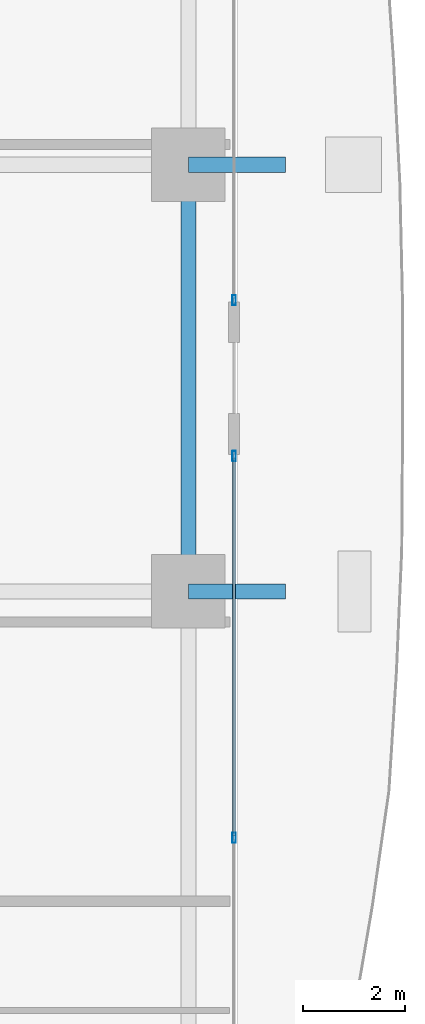
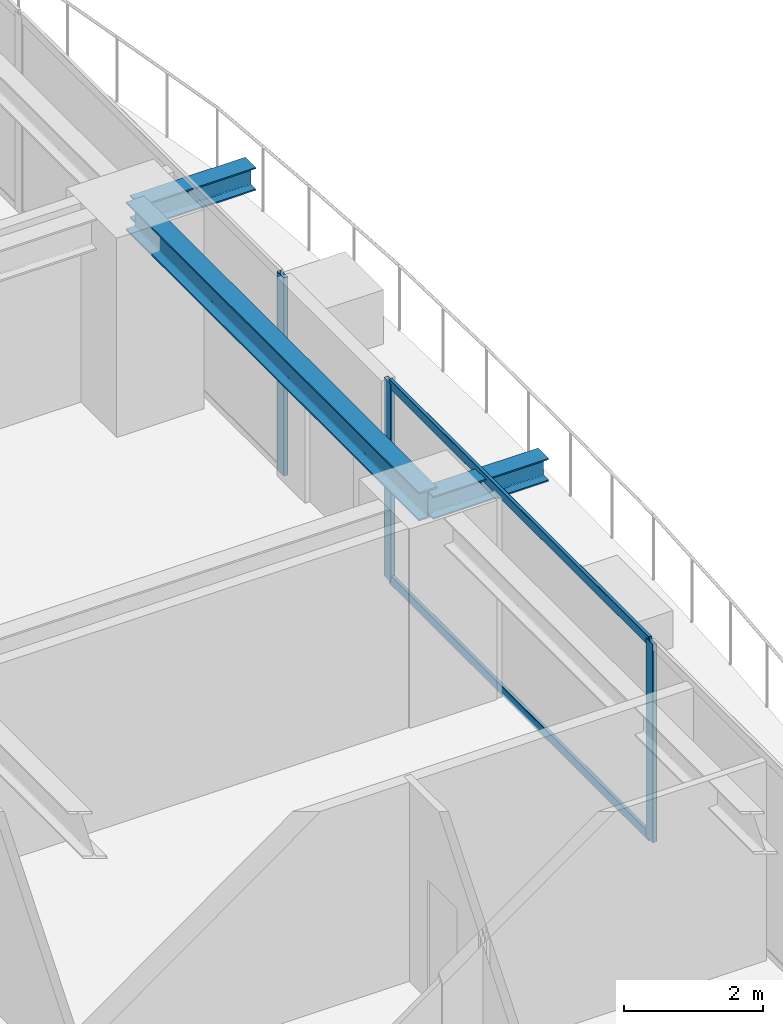
# One storey, part 14 of 38: 5 members, 3 beams, 2 elements without a shape of their own.
"""IFC4 building model written with IfcOpenShell, lengths in metres."""

from ifc_helpers import new_model, si_unit, direction, frame, origin, origin_2d, place, context, subcontext, project, spatial, hollow_rectangle, i_section, extrude, source, transform, mapped, material, layer, layer_set, material_profile, profile_set, type_object, element, aggregate, save


model = new_model("IFC4")

# Units and contexts
model_context = context("Model", 3, precision=1e-05, world=origin(), true_north=direction((0.0, 1.0)))
body_context = subcontext(model_context, "Body", "Model", "MODEL_VIEW")
ifc_project = project(units=[si_unit("LENGTHUNIT", "METRE"), si_unit("AREAUNIT", "SQUARE_METRE"), si_unit("VOLUMEUNIT", "CUBIC_METRE"), si_unit("PLANEANGLEUNIT", "RADIAN"), si_unit("MASSUNIT", "GRAM", prefix="KILO")], contexts=[model_context])

# Site, building, storey
site_placement = place(None, origin())
site = spatial("IfcSite", under=ifc_project, at=site_placement, CompositionType="ELEMENT")
building_placement = place(site_placement, origin())
building = spatial("IfcBuilding", under=site, at=building_placement, Name="Serunith Strait Residences", CompositionType="ELEMENT")
storey_placement = place(building_placement, frame((0.0, 0.0, 67.949951171875)))
storey = spatial("IfcBuildingStorey", under=building, at=storey_placement, Name="L16", CompositionType="ELEMENT", Elevation=67.949951171875)

# Beams
ifc_material_1 = material(Name="Steel S355J2", Category="steel")
ifc_material_profile_1 = material_profile(ifc_material_1, i_section(OverallWidth=0.300048828125, OverallDepth=0.5, WebThickness=0.014404296875, FlangeThickness=0.028076171875, FilletRadius=0.027099609375, at=origin_2d()), Name="HEB 500")
ifc_profile_set_1 = profile_set([ifc_material_profile_1], Name="Steel S355J2")
beam_type_1 = type_object("IfcBeamType", Name="BM-HEB500", PredefinedType="BEAM", material=ifc_profile_set_1)
shared_shape_1 = source(origin(), body_context, "Body", "SweptSolid", [
    extrude(i_section(OverallWidth=0.300048828125, OverallDepth=0.5, WebThickness=0.014404296875, FlangeThickness=0.028076171875, FilletRadius=0.027099609375, at=origin_2d()), origin(), (0.0, 0.0, 1.0), 8.39990234375),
])
beam_placement = place(storey_placement, frame((57.89990234375, 21.0, 3.237060546875), z_axis=(0.0, 1.0, 0.0), x_axis=(-1.0, 0.0, 0.0)))
element("IfcBeam", 1, at=beam_placement, inside=storey, type_object=beam_type_1, Name="L16 Perimeter Ring Beam 06", PredefinedType="BEAM", context=body_context, shape_type="MappedRepresentation", body=[
    mapped(shared_shape_1, transform((0.0, 0.0, 0.0), scale=1.0)),
])
ifc_material_profile_2 = material_profile(ifc_material_1, i_section(OverallWidth=0.300048828125, OverallDepth=0.39990234375, WebThickness=0.013427734375, FlangeThickness=0.02392578125, FilletRadius=0.027099609375, at=origin_2d()), Name="HEB 400")
ifc_profile_set_2 = profile_set([ifc_material_profile_2], Name="Steel S355J2")
beam_type_2 = type_object("IfcBeamType", Name="BM-HEB400", PredefinedType="BEAM", material=ifc_profile_set_2)
shared_shape_2 = source(origin(), body_context, "Body", "SweptSolid", [
    extrude(i_section(OverallWidth=0.300048828125, OverallDepth=0.39990234375, WebThickness=0.013427734375, FlangeThickness=0.02392578125, FilletRadius=0.027099609375, at=origin_2d()), origin(), (0.0, 0.0, 1.0), 1.91015625),
])
for number, where, z_axis, x_axis, name in (
    (2, (57.89990234375, 21.0, 3.257080078125), (1.0, 0.0, 0.0), (0.0, 1.0, 0.0), "L17 Cantilevered Balcony Rib TC-E2"),
    (3, (57.89990234375, 29.39990234375, 3.257080078125), (1.0, 0.0, 0.0), (0.0, 1.0, 0.0), "L17 Cantilevered Balcony Rib TC-E3"),
):
    element("IfcBeam", number, at=place(storey_placement, frame(where, z_axis=z_axis, x_axis=x_axis)), inside=storey, type_object=beam_type_2, Name=name, PredefinedType="BEAM", context=body_context, shape_type="MappedRepresentation", body=[
        mapped(shared_shape_2, transform((0.0, 0.0, 0.0), scale=1.0)),
    ])

# Curtain wall, members
ifc_material_2 = material(Name="Pale-Champagne Anodised Aluminium", Category="aluminium")
ifc_layer = layer(ifc_material_2, 0.199951171875, Name="Pale-Champagne Anodised Aluminium")
ifc_layer_set = layer_set([ifc_layer], Name="Pale-Champagne Anodised Aluminium")
curtain_wall_type = type_object("IfcCurtainWallType", Name="CW-SYS1", PredefinedType="NOTDEFINED", material=ifc_layer_set)
curtain_wall_1_placement = place(storey_placement, origin())
curtain_wall_1 = element("IfcCurtainWall", 4, at=curtain_wall_1_placement, inside=storey, type_object=curtain_wall_type, Name="L16 E Unitised Fritted Curtain Wall", PredefinedType="NOTDEFINED")
ifc_material_profile_3 = material_profile(ifc_material_2, hollow_rectangle(XDim=0.070068359375, YDim=0.199951171875, WallThickness=0.00390625, InnerFilletRadius=0.006103515625, OuterFilletRadius=0.010009765625, at=origin_2d()), Name="ALU 200x70x4")
ifc_profile_set_3 = profile_set([ifc_material_profile_3], Name="Pale-Champagne Anodised Aluminium")
member_type_1 = type_object("IfcMemberType", Name="CW-SYS1-MULL", PredefinedType="MULLION", material=ifc_profile_set_3)
shared_shape_3 = source(origin(), body_context, "Body", "SweptSolid", [
    extrude(hollow_rectangle(XDim=0.070068359375, YDim=0.199951171875, WallThickness=0.00390625, InnerFilletRadius=0.006103515625, OuterFilletRadius=0.010009765625, at=origin_2d()), origin(), (0.0, 0.0, 1.0), 3.47509765625),
])
member_1_placement = place(storey_placement, frame((58.800048828125, 16.14990234375, 0.0), z_axis=(0.0, 0.0, 1.0), x_axis=(-1.0, 0.0, 0.0)))
member_1 = element("IfcMember", 5, at=member_1_placement, type_object=member_type_1, Name="CW-1 mullion 2", PredefinedType="MULLION", context=body_context, shape_type="MappedRepresentation", body=[
    mapped(shared_shape_3, transform((0.0, 0.0, 0.0), scale=1.0)),
])
member_2_placement = place(storey_placement, frame((58.800048828125, 23.6650390625, 0.0), z_axis=(0.0, 0.0, 1.0), x_axis=(-1.0, 0.0, 0.0)))
member_2 = element("IfcMember", 6, at=member_2_placement, type_object=member_type_1, Name="CW-1 mullion 3", PredefinedType="MULLION", context=body_context, shape_type="MappedRepresentation", body=[
    mapped(shared_shape_3, transform((0.0, 0.0, 0.0), scale=1.0)),
])

# Curtain wall, member
curtain_wall_2_placement = place(storey_placement, origin())
curtain_wall_2 = element("IfcCurtainWall", 7, at=curtain_wall_2_placement, inside=storey, type_object=curtain_wall_type, Name="L16 E Unitised Fritted Curtain Wall", PredefinedType="NOTDEFINED")
member_3_placement = place(storey_placement, frame((58.800048828125, 26.735107421875, 0.0), z_axis=(0.0, 0.0, 1.0), x_axis=(-1.0, 0.0, 0.0)))
member_3 = element("IfcMember", 8, at=member_3_placement, type_object=member_type_1, Name="CW-1 mullion 1", PredefinedType="MULLION", context=body_context, shape_type="MappedRepresentation", body=[
    mapped(shared_shape_3, transform((0.0, 0.0, 0.0), scale=1.0)),
])
aggregate(curtain_wall_2, [member_3])

# Member
ifc_material_profile_4 = material_profile(ifc_material_2, hollow_rectangle(XDim=0.06005859375, YDim=0.159912109375, WallThickness=0.00341796875, InnerFilletRadius=0.00537109375, OuterFilletRadius=0.0087890625, at=origin_2d()), Name="ALU 160x60x3.5")
ifc_profile_set_4 = profile_set([ifc_material_profile_4], Name="Pale-Champagne Anodised Aluminium")
member_type_2 = type_object("IfcMemberType", Name="CW-SYS1-TRAN", PredefinedType="USERDEFINED", material=ifc_profile_set_4)
shared_shape_4 = source(origin(), body_context, "Body", "SweptSolid", [
    extrude(hollow_rectangle(XDim=0.06005859375, YDim=0.159912109375, WallThickness=0.00341796875, InnerFilletRadius=0.00537109375, OuterFilletRadius=0.0087890625, at=origin_2d()), origin(), (0.0, 0.0, 1.0), 7.44482421875),
])
member_4_placement = place(storey_placement, frame((58.800048828125, 16.18505859375, 0.030029296875), z_axis=(0.0, 1.0, 0.0), x_axis=(-1.0, 0.0, 0.0)))
member_4 = element("IfcMember", 9, at=member_4_placement, type_object=member_type_2, Name="CW-1 transom 2.1", ObjectType="TRANSOM", PredefinedType="USERDEFINED", context=body_context, shape_type="MappedRepresentation", body=[
    mapped(shared_shape_4, transform((0.0, 0.0, 0.0), scale=1.0)),
])

member_5_placement = place(storey_placement, frame((58.800048828125, 16.18505859375, 3.445068359375), z_axis=(0.0, 1.0, 0.0), x_axis=(-1.0, 0.0, 0.0)))
member_5 = element("IfcMember", 10, at=member_5_placement, type_object=member_type_2, Name="CW-1 transom 2.2", ObjectType="TRANSOM", PredefinedType="USERDEFINED", context=body_context, shape_type="MappedRepresentation", body=[
    mapped(shared_shape_4, transform((0.0, 0.0, 0.0), scale=1.0)),
])

aggregate(curtain_wall_1, [member_1, member_2, member_4, member_5])

save(model, "model.ifc")
